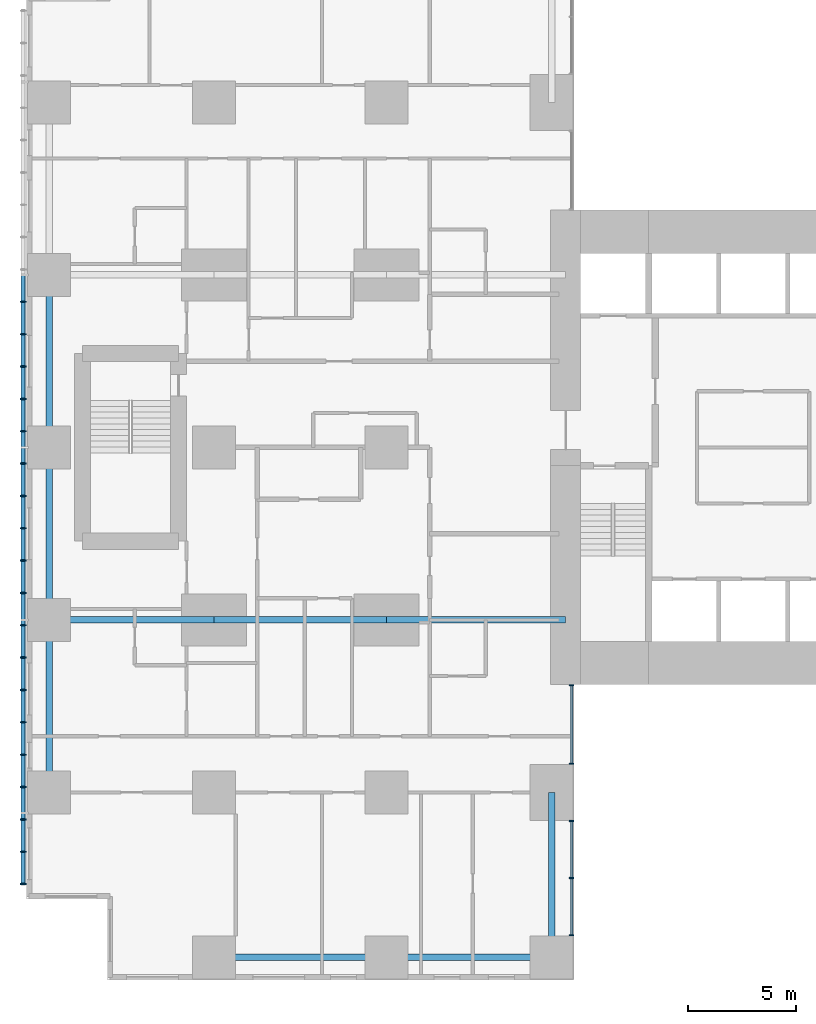
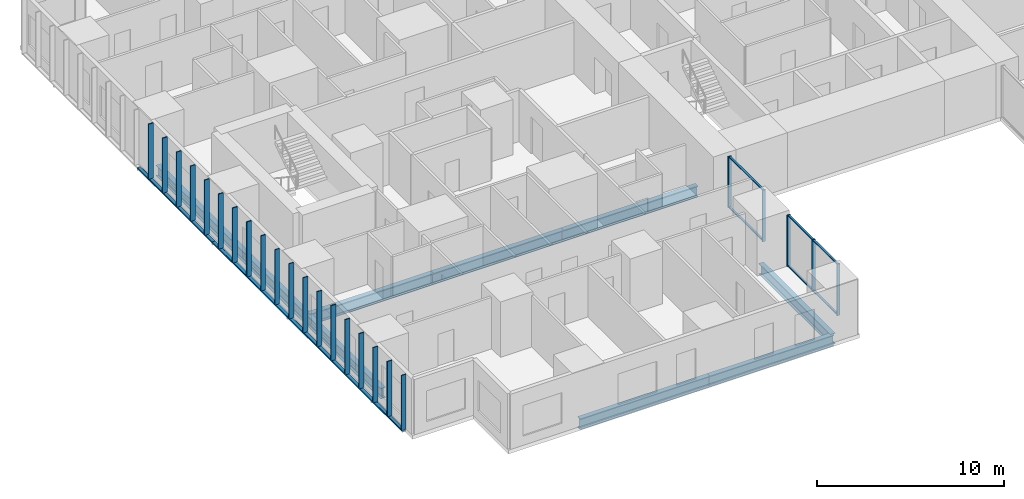
# One storey, part 2 of 20: 33 members, 9 beams, 2 elements without a shape of their own.
"""IFC4 building model written with IfcOpenShell, lengths in metres."""

from ifc_helpers import new_model, si_unit, direction, frame, origin, origin_2d, place, context, subcontext, project, spatial, rectangle, hollow_rectangle, i_section, extrude, material, layer, layer_set, material_profile, profile_set, type_object, element, aggregate, save


model = new_model("IFC4")

# Units and contexts
model_context = context("Model", 3, precision=1e-05, world=origin(), true_north=direction((0.0, 1.0)))
body_context = subcontext(model_context, "Body", "Model", "MODEL_VIEW")
ifc_project = project(units=[si_unit("LENGTHUNIT", "METRE"), si_unit("AREAUNIT", "SQUARE_METRE"), si_unit("VOLUMEUNIT", "CUBIC_METRE"), si_unit("PLANEANGLEUNIT", "RADIAN"), si_unit("MASSUNIT", "GRAM", prefix="KILO")], contexts=[model_context])

# Site, building, storey
site_placement = place(None, origin())
site = spatial("IfcSite", under=ifc_project, at=site_placement, CompositionType="ELEMENT")
building_placement = place(site_placement, origin())
building = spatial("IfcBuilding", under=site, at=building_placement, Name="Cleftline Residences", CompositionType="ELEMENT")
storey_placement = place(building_placement, frame((0.0, 0.0, 40.39990234375)))
storey = spatial("IfcBuildingStorey", under=building, at=storey_placement, Name="L09", CompositionType="ELEMENT", Elevation=40.39990234375)

# Members
ifc_material_1 = material(Name="Steel S355, hot-dip galvanised", Category="steel")
ifc_material_profile_1 = material_profile(ifc_material_1, hollow_rectangle(XDim=0.10009765625, YDim=0.199951171875, WallThickness=0.008056640625, InnerFilletRadius=0.008056640625, OuterFilletRadius=0.011962890625, at=origin_2d()))
ifc_profile_set_1 = profile_set([ifc_material_profile_1], Name="Steel S355, hot-dip galvanised")
member_type_1 = type_object("IfcMemberType", Name="BAGUETTE CARRIER RHS 200X100X8", PredefinedType="USERDEFINED", material=ifc_profile_set_1)
for number, where, z_axis, x_axis, name in (
    (1, (-0.85009765625, 32.0, -0.0498046875), (0.0, -1.0, 0.0), (0.0, 0.0, 1.0), "Baguette carrier"),
    (2, (-0.85009765625, 24.0, -0.0498046875), (0.0, -1.0, 0.0), (0.0, 0.0, 1.0), "Baguette carrier"),
):
    element("IfcMember", number, at=place(storey_placement, frame(where, z_axis=z_axis, x_axis=x_axis)), inside=storey, type_object=member_type_1, Name=name, ObjectType="BAGUETTE CARRIER", PredefinedType="USERDEFINED", context=body_context, shape_type="SweptSolid", body=[
        extrude(hollow_rectangle(XDim=0.10009765625, YDim=0.199951171875, WallThickness=0.008056640625, InnerFilletRadius=0.008056640625, OuterFilletRadius=0.011962890625, at=origin_2d()), origin(), (0.0, 0.0, 1.0), 8.0),
    ])
member_1_placement = place(storey_placement, frame((-0.85009765625, 16.0, -0.0498046875), z_axis=(0.0, -1.0, 0.0), x_axis=(0.0, 0.0, 1.0)))
element("IfcMember", 3, at=member_1_placement, inside=storey, type_object=member_type_1, Name="Baguette carrier", ObjectType="BAGUETTE CARRIER", PredefinedType="USERDEFINED", context=body_context, shape_type="SweptSolid", body=[
    extrude(hollow_rectangle(XDim=0.10009765625, YDim=0.199951171875, WallThickness=0.008056640625, InnerFilletRadius=0.008056640625, OuterFilletRadius=0.011962890625, at=origin_2d()), origin(), (0.0, 0.0, 1.0), 12.300048828125),
])

# Beams
ifc_material_2 = material(Name="Steel S355", Category="steel")
ifc_material_profile_2 = material_profile(ifc_material_2, i_section(OverallWidth=0.300048828125, OverallDepth=0.699951171875, WebThickness=0.01708984375, FlangeThickness=0.031982421875, FilletRadius=0.027099609375, at=origin_2d()))
ifc_profile_set_2 = profile_set([ifc_material_profile_2], Name="Steel S355")
beam_type_1 = type_object("IfcBeamType", Name="BEAM HEB 700", PredefinedType="BEAM", material=ifc_profile_set_2)
for number, where, z_axis, x_axis, name in (
    (4, (0.35009765625, 8.0, -0.599853515625), (0.0, 1.0, 0.0), (-1.0, 0.0, 0.0), "Edge beam"),
    (5, (0.35009765625, 16.0, -0.599853515625), (0.0, 1.0, 0.0), (-1.0, 0.0, 0.0), "Edge beam"),
    (6, (0.35009765625, 24.0, -0.599853515625), (0.0, 1.0, 0.0), (-1.0, 0.0, 0.0), "Edge beam"),
    (7, (8.0, 0.35009765625, -0.599853515625), (1.0, 0.0, 0.0), (0.0, 1.0, 0.0), "Edge beam"),
):
    element("IfcBeam", number, at=place(storey_placement, frame(where, z_axis=z_axis, x_axis=x_axis)), inside=storey, type_object=beam_type_1, Name=name, PredefinedType="BEAM", context=body_context, shape_type="SweptSolid", body=[
        extrude(i_section(OverallWidth=0.300048828125, OverallDepth=0.699951171875, WebThickness=0.01708984375, FlangeThickness=0.031982421875, FilletRadius=0.027099609375, at=origin_2d()), origin(), (0.0, 0.0, 1.0), 8.0),
    ])
for number, where, z_axis, x_axis, name in (
    (8, (16.0, 0.35009765625, -0.599853515625), (1.0, 0.0, 0.0), (0.0, 1.0, 0.0), "Edge beam"),
    (9, (23.64990234375, 0.35009765625, -0.599853515625), (0.0, 1.0, 0.0), (-1.0, 0.0, 0.0), "Edge beam"),
):
    element("IfcBeam", number, at=place(storey_placement, frame(where, z_axis=z_axis, x_axis=x_axis)), inside=storey, type_object=beam_type_1, Name=name, PredefinedType="BEAM", context=body_context, shape_type="SweptSolid", body=[
        extrude(i_section(OverallWidth=0.300048828125, OverallDepth=0.699951171875, WebThickness=0.01708984375, FlangeThickness=0.031982421875, FilletRadius=0.027099609375, at=origin_2d()), origin(), (0.0, 0.0, 1.0), 7.64990234375),
    ])
ifc_material_3 = material(Name="Steel S355", Category="steel")
ifc_material_profile_3 = material_profile(ifc_material_3, i_section(OverallWidth=0.303955078125, OverallDepth=0.716064453125, WebThickness=0.02099609375, FlangeThickness=0.0400390625, FilletRadius=0.027099609375, at=origin_2d()))
ifc_profile_set_3 = profile_set([ifc_material_profile_3], Name="Steel S355")
beam_type_2 = type_object("IfcBeamType", Name="BEAM HEM 700", PredefinedType="BEAM", material=ifc_profile_set_3)
beam_1_placement = place(storey_placement, frame((0.35009765625, 16.0, -0.60791015625), z_axis=(1.0, 0.0, 0.0), x_axis=(0.0, 1.0, 0.0)))
element("IfcBeam", 10, at=beam_1_placement, inside=storey, type_object=beam_type_2, Name="Band beam", PredefinedType="BEAM", context=body_context, shape_type="SweptSolid", body=[
    extrude(i_section(OverallWidth=0.303955078125, OverallDepth=0.716064453125, WebThickness=0.02099609375, FlangeThickness=0.0400390625, FilletRadius=0.027099609375, at=origin_2d()), origin(), (0.0, 0.0, 1.0), 7.64990234375),
])
beam_2_placement = place(storey_placement, frame((8.0, 16.0, -0.60791015625), z_axis=(1.0, 0.0, 0.0), x_axis=(0.0, 1.0, 0.0)))
element("IfcBeam", 11, at=beam_2_placement, inside=storey, type_object=beam_type_2, Name="Band beam", PredefinedType="BEAM", context=body_context, shape_type="SweptSolid", body=[
    extrude(i_section(OverallWidth=0.303955078125, OverallDepth=0.716064453125, WebThickness=0.02099609375, FlangeThickness=0.0400390625, FilletRadius=0.027099609375, at=origin_2d()), origin(), (0.0, 0.0, 1.0), 8.0),
])
beam_3_placement = place(storey_placement, frame((16.0, 16.0, -0.60791015625), z_axis=(1.0, 0.0, 0.0), x_axis=(0.0, 1.0, 0.0)))
element("IfcBeam", 12, at=beam_3_placement, inside=storey, type_object=beam_type_2, Name="Band beam", PredefinedType="BEAM", context=body_context, shape_type="SweptSolid", body=[
    extrude(i_section(OverallWidth=0.303955078125, OverallDepth=0.716064453125, WebThickness=0.02099609375, FlangeThickness=0.0400390625, FilletRadius=0.027099609375, at=origin_2d()), origin(), (0.0, 0.0, 1.0), 8.300048828125),
])

# Curtain wall, members
ifc_material_4 = material(Name="Aluminium framed curtain wall", Category="aluminium")
ifc_layer = layer(ifc_material_4, 0.199951171875)
ifc_layer_set = layer_set([ifc_layer], Name="CW1 CLEFT GLAZING")
curtain_wall_type = type_object("IfcCurtainWallType", Name="CW1 CLEFT GLAZING", PredefinedType="NOTDEFINED", material=ifc_layer_set)
curtain_wall_1_placement = place(storey_placement, origin())
curtain_wall_1 = element("IfcCurtainWall", 13, at=curtain_wall_1_placement, inside=storey, type_object=curtain_wall_type, Name="Curtain wall CW1", PredefinedType="NOTDEFINED")
ifc_material_5 = material(Name="Aluminium mullion", Category="aluminium")
ifc_material_profile_4 = material_profile(ifc_material_5, rectangle(XDim=0.199951171875, YDim=0.06005859375, at=origin_2d()))
ifc_profile_set_4 = profile_set([ifc_material_profile_4], Name="Aluminium mullion")
member_type_2 = type_object("IfcMemberType", Name="CW1 MULLION", PredefinedType="MULLION", material=ifc_profile_set_4)
member_2_placement = place(storey_placement, frame((24.574951171875, 1.3798828125, 0.0), z_axis=(0.0, 0.0, 1.0), x_axis=(-1.0, 0.0, 0.0)))
member_2 = element("IfcMember", 14, at=member_2_placement, type_object=member_type_2, Name="CW1 mullion 1", PredefinedType="MULLION", context=body_context, shape_type="SweptSolid", body=[
    extrude(rectangle(XDim=0.199951171875, YDim=0.06005859375, at=origin_2d()), origin(), (0.0, 0.0, 1.0), 3.35009765625),
])
member_3_placement = place(storey_placement, frame((24.574951171875, 4.02490234375, 0.0), z_axis=(0.0, 0.0, 1.0), x_axis=(-1.0, 0.0, 0.0)))
member_3 = element("IfcMember", 15, at=member_3_placement, type_object=member_type_2, Name="CW1 mullion 2", PredefinedType="MULLION", context=body_context, shape_type="SweptSolid", body=[
    extrude(rectangle(XDim=0.199951171875, YDim=0.06005859375, at=origin_2d()), origin(), (0.0, 0.0, 1.0), 3.35009765625),
])
member_4_placement = place(storey_placement, frame((24.574951171875, 6.669921875, 0.0), z_axis=(0.0, 0.0, 1.0), x_axis=(-1.0, 0.0, 0.0)))
member_4 = element("IfcMember", 16, at=member_4_placement, type_object=member_type_2, Name="CW1 mullion 3", PredefinedType="MULLION", context=body_context, shape_type="SweptSolid", body=[
    extrude(rectangle(XDim=0.199951171875, YDim=0.06005859375, at=origin_2d()), origin(), (0.0, 0.0, 1.0), 3.35009765625),
])

curtain_wall_2_placement = place(storey_placement, origin())
curtain_wall_2 = element("IfcCurtainWall", 17, at=curtain_wall_2_placement, inside=storey, type_object=curtain_wall_type, Name="Curtain wall CW1", PredefinedType="NOTDEFINED")
member_5_placement = place(storey_placement, frame((24.574951171875, 9.330078125, 0.0), z_axis=(0.0, 0.0, 1.0), x_axis=(-1.0, 0.0, 0.0)))
member_5 = element("IfcMember", 18, at=member_5_placement, type_object=member_type_2, Name="CW1 mullion 1", PredefinedType="MULLION", context=body_context, shape_type="SweptSolid", body=[
    extrude(rectangle(XDim=0.199951171875, YDim=0.06005859375, at=origin_2d()), origin(), (0.0, 0.0, 1.0), 3.35009765625),
])
member_6_placement = place(storey_placement, frame((24.574951171875, 12.969970703125, 0.0), z_axis=(0.0, 0.0, 1.0), x_axis=(-1.0, 0.0, 0.0)))
member_6 = element("IfcMember", 19, at=member_6_placement, type_object=member_type_2, Name="CW1 mullion 2", PredefinedType="MULLION", context=body_context, shape_type="SweptSolid", body=[
    extrude(rectangle(XDim=0.199951171875, YDim=0.06005859375, at=origin_2d()), origin(), (0.0, 0.0, 1.0), 3.35009765625),
])

# Member
ifc_material_6 = material(Name="Aluminium transom", Category="aluminium")
ifc_material_profile_5 = material_profile(ifc_material_6, rectangle(XDim=0.1201171875, YDim=0.06005859375, at=origin_2d()))
ifc_profile_set_5 = profile_set([ifc_material_profile_5], Name="Aluminium transom")
member_type_3 = type_object("IfcMemberType", Name="CW1 TRANSOM", PredefinedType="USERDEFINED", material=ifc_profile_set_5)
member_7_placement = place(storey_placement, frame((24.574951171875, 1.409912109375, 0.030029296875), z_axis=(0.0, 1.0, 0.0), x_axis=(-1.0, 0.0, 0.0)))
member_7 = element("IfcMember", 20, at=member_7_placement, type_object=member_type_3, Name="CW1 transom 1.1", ObjectType="TRANSOM", PredefinedType="USERDEFINED", context=body_context, shape_type="SweptSolid", body=[
    extrude(rectangle(XDim=0.1201171875, YDim=0.06005859375, at=origin_2d()), origin(), (0.0, 0.0, 1.0), 2.585205078125),
])

member_8_placement = place(storey_placement, frame((24.574951171875, 1.409912109375, 3.320068359375), z_axis=(0.0, 1.0, 0.0), x_axis=(-1.0, 0.0, 0.0)))
member_8 = element("IfcMember", 21, at=member_8_placement, type_object=member_type_3, Name="CW1 transom 1.2", ObjectType="TRANSOM", PredefinedType="USERDEFINED", context=body_context, shape_type="SweptSolid", body=[
    extrude(rectangle(XDim=0.1201171875, YDim=0.06005859375, at=origin_2d()), origin(), (0.0, 0.0, 1.0), 2.585205078125),
])

member_9_placement = place(storey_placement, frame((24.574951171875, 4.054931640625, 0.030029296875), z_axis=(0.0, 1.0, 0.0), x_axis=(-1.0, 0.0, 0.0)))
member_9 = element("IfcMember", 22, at=member_9_placement, type_object=member_type_3, Name="CW1 transom 2.1", ObjectType="TRANSOM", PredefinedType="USERDEFINED", context=body_context, shape_type="SweptSolid", body=[
    extrude(rectangle(XDim=0.1201171875, YDim=0.06005859375, at=origin_2d()), origin(), (0.0, 0.0, 1.0), 2.5849609375),
])

member_10_placement = place(storey_placement, frame((24.574951171875, 4.054931640625, 3.320068359375), z_axis=(0.0, 1.0, 0.0), x_axis=(-1.0, 0.0, 0.0)))
member_10 = element("IfcMember", 23, at=member_10_placement, type_object=member_type_3, Name="CW1 transom 2.2", ObjectType="TRANSOM", PredefinedType="USERDEFINED", context=body_context, shape_type="SweptSolid", body=[
    extrude(rectangle(XDim=0.1201171875, YDim=0.06005859375, at=origin_2d()), origin(), (0.0, 0.0, 1.0), 2.5849609375),
])

aggregate(curtain_wall_1, [member_2, member_3, member_4, member_7, member_8, member_9, member_10])

member_11_placement = place(storey_placement, frame((24.574951171875, 9.360107421875, 0.030029296875), z_axis=(0.0, 1.0, 0.0), x_axis=(-1.0, 0.0, 0.0)))
member_11 = element("IfcMember", 24, at=member_11_placement, type_object=member_type_3, Name="CW1 transom 1.1", ObjectType="TRANSOM", PredefinedType="USERDEFINED", context=body_context, shape_type="SweptSolid", body=[
    extrude(rectangle(XDim=0.1201171875, YDim=0.06005859375, at=origin_2d()), origin(), (0.0, 0.0, 1.0), 3.579833984375),
])

member_12_placement = place(storey_placement, frame((24.574951171875, 9.360107421875, 3.320068359375), z_axis=(0.0, 1.0, 0.0), x_axis=(-1.0, 0.0, 0.0)))
member_12 = element("IfcMember", 25, at=member_12_placement, type_object=member_type_3, Name="CW1 transom 1.2", ObjectType="TRANSOM", PredefinedType="USERDEFINED", context=body_context, shape_type="SweptSolid", body=[
    extrude(rectangle(XDim=0.1201171875, YDim=0.06005859375, at=origin_2d()), origin(), (0.0, 0.0, 1.0), 3.579833984375),
])

aggregate(curtain_wall_2, [member_5, member_6, member_11, member_12])

# Members
ifc_material_7 = material(Name="Extruded terracotta", Category="masonry")
ifc_material_profile_6 = material_profile(ifc_material_7, rectangle(XDim=0.06005859375, YDim=0.300048828125, at=origin_2d()))
ifc_profile_set_6 = profile_set([ifc_material_profile_6], Name="Extruded terracotta")
member_type_4 = type_object("IfcMemberType", Name="TERRACOTTA BAGUETTE 60X300", PredefinedType="USERDEFINED", material=ifc_profile_set_6)
for number, where, z_axis, x_axis, name in (
    (26, (-0.85009765625, 30.75, 0.0), (0.0, 0.0, 1.0), (0.0, 1.0, 0.0), "Terracotta baguette"),
    (27, (-0.85009765625, 29.25, 0.0), (0.0, 0.0, 1.0), (0.0, 1.0, 0.0), "Terracotta baguette"),
    (28, (-0.85009765625, 27.75, 0.0), (0.0, 0.0, 1.0), (0.0, 1.0, 0.0), "Terracotta baguette"),
    (29, (-0.85009765625, 26.25, 0.0), (0.0, 0.0, 1.0), (0.0, 1.0, 0.0), "Terracotta baguette"),
    (30, (-0.85009765625, 24.75, 0.0), (0.0, 0.0, 1.0), (0.0, 1.0, 0.0), "Terracotta baguette"),
    (31, (-0.85009765625, 23.25, 0.0), (0.0, 0.0, 1.0), (0.0, 1.0, 0.0), "Terracotta baguette"),
    (32, (-0.85009765625, 21.75, 0.0), (0.0, 0.0, 1.0), (0.0, 1.0, 0.0), "Terracotta baguette"),
    (33, (-0.85009765625, 20.25, 0.0), (0.0, 0.0, 1.0), (0.0, 1.0, 0.0), "Terracotta baguette"),
    (34, (-0.85009765625, 18.75, 0.0), (0.0, 0.0, 1.0), (0.0, 1.0, 0.0), "Terracotta baguette"),
    (35, (-0.85009765625, 17.25, 0.0), (0.0, 0.0, 1.0), (0.0, 1.0, 0.0), "Terracotta baguette"),
    (36, (-0.85009765625, 15.75, 0.0), (0.0, 0.0, 1.0), (0.0, 1.0, 0.0), "Terracotta baguette"),
    (37, (-0.85009765625, 14.25, 0.0), (0.0, 0.0, 1.0), (0.0, 1.0, 0.0), "Terracotta baguette"),
    (38, (-0.85009765625, 12.75, 0.0), (0.0, 0.0, 1.0), (0.0, 1.0, 0.0), "Terracotta baguette"),
    (39, (-0.85009765625, 11.25, 0.0), (0.0, 0.0, 1.0), (0.0, 1.0, 0.0), "Terracotta baguette"),
    (40, (-0.85009765625, 9.75, 0.0), (0.0, 0.0, 1.0), (0.0, 1.0, 0.0), "Terracotta baguette"),
    (41, (-0.85009765625, 8.25, 0.0), (0.0, 0.0, 1.0), (0.0, 1.0, 0.0), "Terracotta baguette"),
    (42, (-0.85009765625, 6.75, 0.0), (0.0, 0.0, 1.0), (0.0, 1.0, 0.0), "Terracotta baguette"),
    (43, (-0.85009765625, 5.25, 0.0), (0.0, 0.0, 1.0), (0.0, 1.0, 0.0), "Terracotta baguette"),
    (44, (-0.85009765625, 3.75, 0.0), (0.0, 0.0, 1.0), (0.0, 1.0, 0.0), "Terracotta baguette"),
):
    element("IfcMember", number, at=place(storey_placement, frame(where, z_axis=z_axis, x_axis=x_axis)), inside=storey, type_object=member_type_4, Name=name, ObjectType="BAGUETTE", PredefinedType="USERDEFINED", context=body_context, shape_type="SweptSolid", body=[
        extrude(rectangle(XDim=0.06005859375, YDim=0.300048828125, at=origin_2d()), origin(), (0.0, 0.0, 1.0), 3.60009765625),
    ])

save(model, "model.ifc")
